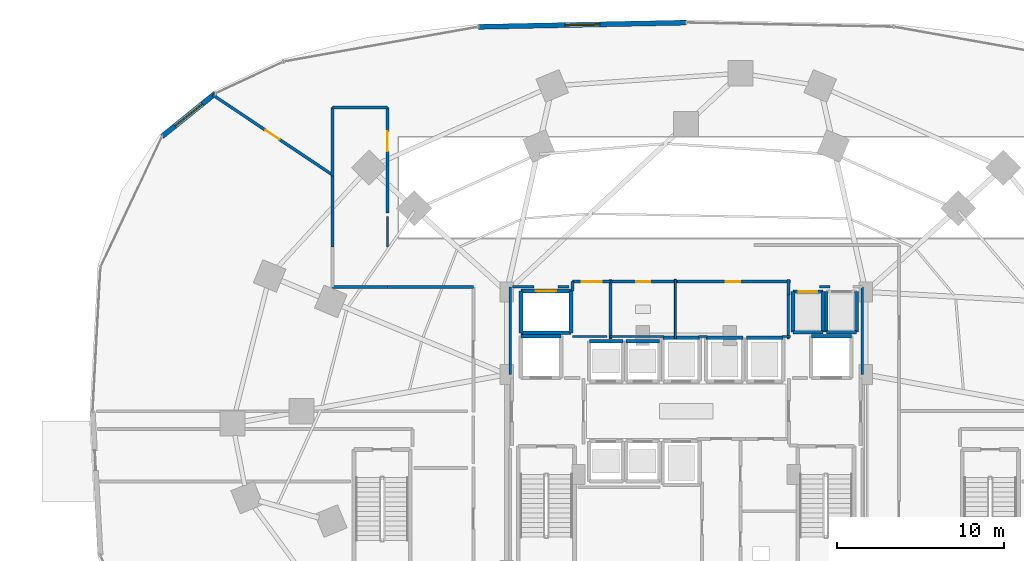
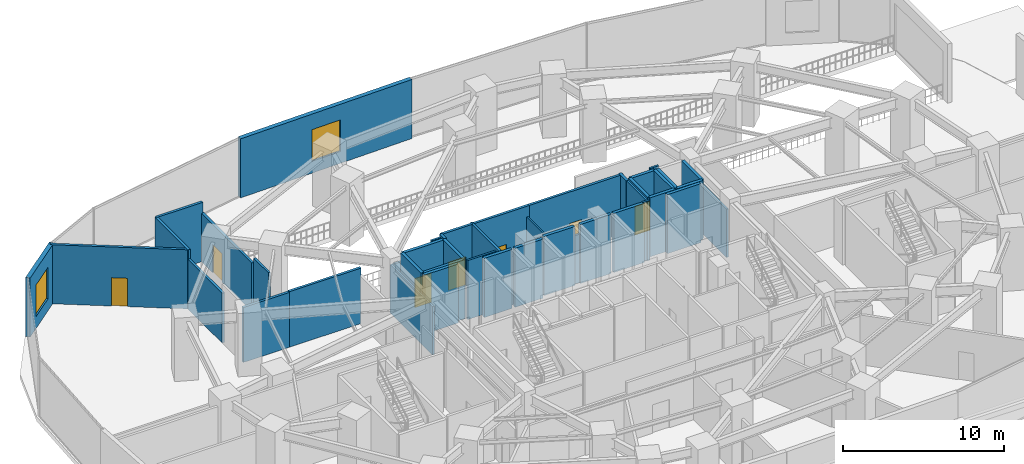
# One storey, part 29 of 36: 45 walls, 7 doors, 2 windows, 9 openings.
"""IFC4 building model written with IfcOpenShell, lengths in metres."""

import ifcopenshell
import ifcopenshell.guid

model = None  # the IFC model being written
_history = None  # IfcOwnerHistory: only IFC2X3 demands one
_inside = {}  # id of a spatial element -> (the spatial element, [elements in it])
_under = {}  # id of a project, library or spatial element -> (it, [spatial elements below it])
_declared = {}  # id of a project -> (the project, [libraries it declares])
_typed = {}  # id of a type object -> (the type object, [elements of that type])
_made_of = {}  # id of a material, layer set ... -> (it, [elements and type objects made of it])


def new_model(schema):
    """Start an empty IFC model of exactly this schema.

    Asked for "IFC4X3", IfcOpenShell would pick the latest addendum, in which some entities
    have other attributes; the version numbers below select the first issue.
    IFC2X3 requires an IfcOwnerHistory on every rooted entity: one is made here for all.
    """
    global model, _history
    if schema == "IFC4X3":
        model = ifcopenshell.file(schema_version=(4, 3, 0, 0))
    else:
        model = ifcopenshell.file(schema=schema)
    _inside.clear()
    _under.clear()
    _declared.clear()
    _typed.clear()
    _made_of.clear()
    _history = None
    if model.schema == "IFC2X3":
        org = make("IfcOrganization", Name="unknown")
        user = make(
            "IfcPersonAndOrganization",
            ThePerson=make("IfcPerson", FamilyName="unknown"),
            TheOrganization=org,
        )
        app = make(
            "IfcApplication",
            ApplicationDeveloper=org,
            Version="unknown",
            ApplicationFullName="unknown",
            ApplicationIdentifier="unknown",
        )
        _history = make(
            "IfcOwnerHistory",
            OwningUser=user,
            OwningApplication=app,
            ChangeAction="ADDED",
            CreationDate=0,
        )
    return model


def make(cls, **values):
    """One entity of the class cls with the attributes given. An attribute that is None is left unset."""
    return model.create_entity(
        cls, **{name: value for name, value in values.items() if value is not None}
    )


def rooted(cls, **values):
    """An entity with a GlobalId (a new one), such as an element, a storey or a relation."""
    return make(cls, GlobalId=ifcopenshell.guid.new(), OwnerHistory=_history, **values)


def si_unit(unit_type, name, prefix=None):
    """IfcSIUnit, for example si_unit("LENGTHUNIT", "METRE", prefix="MILLI")."""
    return make("IfcSIUnit", UnitType=unit_type, Prefix=prefix, Name=name)


def assignment(units):
    """IfcUnitAssignment: the units of a project."""
    return None if units is None else make("IfcUnitAssignment", Units=units)


def point(xyz):
    """IfcCartesianPoint."""
    return None if xyz is None else make("IfcCartesianPoint", Coordinates=xyz)


def direction(xyz):
    """IfcDirection."""
    return None if xyz is None else make("IfcDirection", DirectionRatios=xyz)


def frame(location, z_axis=None, x_axis=None):
    """IfcAxis2Placement3D, a coordinate frame: its origin and axes. An axis left out is left unset."""
    return make(
        "IfcAxis2Placement3D",
        Location=point(location),
        Axis=direction(z_axis),
        RefDirection=direction(x_axis),
    )


def frame_2d(location, x_axis=None):
    """IfcAxis2Placement2D, a coordinate frame in the plane: its origin and x axis."""
    return make(
        "IfcAxis2Placement2D", Location=point(location), RefDirection=direction(x_axis)
    )


def origin():
    """The frame at (0, 0, 0) with its axes left unset."""
    return frame((0.0, 0.0, 0.0))


def place(relative_to, where):
    """IfcLocalPlacement: puts the frame where relative to a parent placement (None: the world)."""
    return make(
        "IfcLocalPlacement", PlacementRelTo=relative_to, RelativePlacement=where
    )


def context(
    kind, dimensions, precision=None, world=None, true_north=None, identifier=None
):
    """IfcGeometricRepresentationContext, for example the 3D "Model" context."""
    return make(
        "IfcGeometricRepresentationContext",
        ContextIdentifier=identifier,
        ContextType=kind,
        CoordinateSpaceDimension=dimensions,
        Precision=precision,
        WorldCoordinateSystem=world,
        TrueNorth=true_north,
    )


def subcontext(parent, identifier, kind, view, scale=None):
    """IfcGeometricRepresentationSubContext, for example "Body" below "Model"."""
    return make(
        "IfcGeometricRepresentationSubContext",
        ContextIdentifier=identifier,
        ContextType=kind,
        ParentContext=parent,
        TargetScale=scale,
        TargetView=view,
    )


def project(units=None, contexts=None):
    """IfcProject with its units and contexts."""
    return rooted(
        "IfcProject",
        Name="project",
        RepresentationContexts=contexts,
        UnitsInContext=assignment(units),
    )


def spatial(cls, under=None, at=None, **own):
    """A site, building, storey or space (cls), placed at a placement, below another one or the project."""
    s = rooted(cls, ObjectPlacement=at, **own)
    if under is not None:
        _under.setdefault(under.id(), (under, []))[1].append(s)
    return s


def profile(cls, at=None, kind="AREA", **sizes):
    """A parametric profile (cls). Its sizes go by their IFC names, for example OverallWidth=200.0."""
    return make(cls, ProfileType=kind, Position=at, **sizes)


def rectangle(**sizes):
    """IfcRectangleProfileDef."""
    return profile("IfcRectangleProfileDef", **sizes)


def extrude(swept, where, along, depth):
    """IfcExtrudedAreaSolid: the profile swept, set in the frame where, extruded along a direction by depth."""
    return make(
        "IfcExtrudedAreaSolid",
        SweptArea=swept,
        Position=where,
        ExtrudedDirection=direction(along),
        Depth=depth,
    )


def shape(context_of_items, identifier, shape_type, items):
    """IfcShapeRepresentation: the items that make up one representation, for example the "Body"."""
    return make(
        "IfcShapeRepresentation",
        ContextOfItems=context_of_items,
        RepresentationIdentifier=identifier,
        RepresentationType=shape_type,
        Items=items,
    )


def material(Name=None, Category=None):
    """IfcMaterial."""
    return make("IfcMaterial", Name=Name, Category=Category)


def layer(
    of_material, thickness, ventilated=None, Name=None, Category=None, Priority=None
):
    """IfcMaterialLayer: one layer of a wall or slab, of a material (None: an air gap)."""
    return make(
        "IfcMaterialLayer",
        Material=of_material,
        LayerThickness=thickness,
        IsVentilated=ventilated,
        Name=Name,
        Category=Category,
        Priority=Priority,
    )


def layer_set(layers, Name=None):
    """IfcMaterialLayerSet."""
    return make("IfcMaterialLayerSet", MaterialLayers=layers, LayerSetName=Name)


def made_of(thing, what):
    """Note that an element or type object is made of a material, layer set ...; save() writes the relation."""
    if what is not None:
        _made_of.setdefault(what.id(), (what, []))[1].append(thing)
    return thing


def type_object(cls, material=None, **own):
    """A type object (cls), such as IfcWallType, which elements share."""
    return made_of(rooted(cls, **own), material)


def element(
    cls,
    number,
    at=None,
    inside=None,
    cuts=None,
    type_object=None,
    material=None,
    context=None,
    identifier="Body",
    shape_type=None,
    held_by="IfcProductDefinitionShape",
    body=None,
    shapes=None,
    **own,
):
    """One element of the class cls, such as IfcWall. Its Tag is "e" and its number.

    at: its placement. inside: the storey or other place that contains it. cuts: it is an
    opening in that element (IfcRelVoidsElement). A single representation is given by context,
    identifier, shape_type and body (its items); several are given by shapes. held_by: the class
    of the entity that holds the representations. save() writes the other relations.
    """
    e = rooted(cls, Tag="e%d" % number, ObjectPlacement=at, **own)
    if body is not None:
        shapes = [shape(context, identifier, shape_type, body)]
    if shapes is not None:
        e.Representation = make(held_by, Representations=shapes)
    if inside is not None:
        _inside.setdefault(inside.id(), (inside, []))[1].append(e)
    if cuts is not None:
        rooted(
            "IfcRelVoidsElement", RelatingBuildingElement=cuts, RelatedOpeningElement=e
        )
    if type_object is not None:
        _typed.setdefault(type_object.id(), (type_object, []))[1].append(e)
    return made_of(e, material)


def fill(opening, filler):
    """IfcRelFillsElement: the door or window that sits in an opening."""
    return rooted(
        "IfcRelFillsElement",
        RelatingOpeningElement=opening,
        RelatedBuildingElement=filler,
    )


def aggregate(whole, parts):
    """IfcRelAggregates: a whole, such as a stair, and the parts it consists of."""
    return rooted("IfcRelAggregates", RelatingObject=whole, RelatedObjects=parts)


def save(model, path):
    """Write the relations noted so far, then the file.

    IfcRelAggregates (storeys below a building ...), IfcRelContainedInSpatialStructure (elements
    in a storey), IfcRelDefinesByType, IfcRelAssociatesMaterial and IfcRelDeclares: one each for
    every whole, place, type object, material and project.
    """
    for whole, parts in _under.values():
        aggregate(whole, parts)
    for where, things in _inside.values():
        rooted(
            "IfcRelContainedInSpatialStructure",
            RelatedElements=things,
            RelatingStructure=where,
        )
    for kind, things in _typed.values():
        rooted("IfcRelDefinesByType", RelatedObjects=things, RelatingType=kind)
    for what, things in _made_of.values():
        rooted("IfcRelAssociatesMaterial", RelatedObjects=things, RelatingMaterial=what)
    for by, libraries in _declared.values():
        rooted("IfcRelDeclares", RelatingContext=by, RelatedDefinitions=libraries)
    model.write(path)


model = new_model("IFC4")

# Units and contexts
model_context = context("Model", 3, precision=1e-05, world=origin(), true_north=direction((0.0, 1.0)))
body_context = subcontext(model_context, "Body", "Model", "MODEL_VIEW")
ifc_project = project(units=[si_unit("LENGTHUNIT", "METRE"), si_unit("AREAUNIT", "SQUARE_METRE"), si_unit("VOLUMEUNIT", "CUBIC_METRE"), si_unit("PLANEANGLEUNIT", "RADIAN"), si_unit("MASSUNIT", "GRAM", prefix="KILO")], contexts=[model_context])

# Site, building, storey
site_placement = place(None, origin())
site = spatial("IfcSite", under=ifc_project, at=site_placement, CompositionType="ELEMENT")
building_placement = place(site_placement, origin())
building = spatial("IfcBuilding", under=site, at=building_placement, Name="Vorneva Point Tower", CompositionType="ELEMENT")
storey_placement = place(building_placement, origin())
storey = spatial("IfcBuildingStorey", under=building, at=storey_placement, Name="L00", CompositionType="ELEMENT", Elevation=0.0)

# Walls
ifc_material_1 = material(Name="Concrete B60 (C50/60)", Category="concrete")
ifc_layer_1 = layer(ifc_material_1, 0.5)
ifc_layer_set_1 = layer_set([ifc_layer_1], Name="Concrete B60 (C50/60)")
wall_type_1 = type_object("IfcWallType", Name="WL-CORE-500", PredefinedType="SHEAR", material=ifc_layer_set_1)
for number, where, z_axis, x_axis, name in (
    (1, (30.5, 30.5, 0.0), (0.0, 0.0, 1.0), (-1.0, 0.0, 0.0), "L00 Lift FFL1 Shaft Wall +Y"),
    (2, (47.89990234375, 30.5, 0.0), (0.0, 0.0, 1.0), (-1.0, 0.0, 0.0), "L00 Lift FFL2 Shaft Wall +Y"),
):
    element("IfcWall", number, at=place(storey_placement, frame(where, z_axis=z_axis, x_axis=x_axis)), inside=storey, type_object=wall_type_1, Name=name, PredefinedType="SHEAR", context=body_context, shape_type="SweptSolid", body=[
        extrude(rectangle(XDim=2.39990234375, YDim=0.219970703125, at=frame_2d((1.199951171875, 0.0))), origin(), (0.0, 0.0, 1.0), 4.47998046875),
    ])

# Wall, opening, window
ifc_material_2 = material(Name="Precast concrete B50 (C40/50)", Category="concrete")
ifc_layer_2 = layer(ifc_material_2, 0.300048828125)
ifc_layer_set_2 = layer_set([ifc_layer_2], Name="Precast concrete B50 (C40/50)")
wall_type_2 = type_object("IfcWallType", Name="WL-EXT-300", PredefinedType="STANDARD", material=ifc_layer_set_2)
wall_1_placement = place(storey_placement, frame((38.0, 49.285400390625, 0.0), z_axis=(0.0, 0.0, 1.0), x_axis=(-0.999791851131, -0.020402313892, 0.0)))
wall_1 = element("IfcWall", 3, at=wall_1_placement, inside=storey, type_object=wall_type_2, Name="L00 Waterfront Facade Wall 09", PredefinedType="STANDARD", context=body_context, shape_type="SweptSolid", body=[
    extrude(rectangle(XDim=12.445068359375, YDim=0.300048828125, at=frame_2d((6.22265625, 0.0))), origin(), (0.0, 0.0, 1.0), 4.47998046875),
])
opening_1_placement = place(wall_1_placement, frame((5.17236328125, 0.0, 0.89990234375)))
opening_1 = element("IfcOpeningElement", 4, at=opening_1_placement, cuts=wall_1, Name="Opening W-05", PredefinedType="OPENING", context=body_context, shape_type="SweptSolid", body=[
    extrude(rectangle(XDim=2.10009765625, YDim=2.39990234375, at=frame_2d((1.050048828125, 1.199951171875))), frame((0.0, 0.1650390625, 0.0), z_axis=(0.0, -1.0, 0.0), x_axis=(1.0, 0.0, 0.0)), (0.0, 0.0, 1.0), 0.329833984375),
])
ifc_material_3 = material(Name="Double low-e laminated glass IGU", Category="glass")
window_type = type_object("IfcWindowType", Name="WN-POD-2100", PartitioningType="SINGLE_PANEL", PredefinedType="WINDOW", material=ifc_material_3)
window_1_placement = place(opening_1_placement, origin())
window_1 = element("IfcWindow", 5, at=window_1_placement, inside=storey, type_object=window_type, Name="L00 Waterfront Podium Window 09", OverallHeight=2.39990234375, OverallWidth=2.10009765625, PartitioningType="SINGLE_PANEL", PredefinedType="WINDOW", context=body_context, shape_type="SweptSolid", body=[
    extrude(rectangle(XDim=2.10009765625, YDim=2.39990234375, at=frame_2d((1.050048828125, 1.199951171875))), frame((0.0, 0.030029296875, 0.0), z_axis=(0.0, -1.0, 0.0), x_axis=(1.0, 0.0, 0.0)), (0.0, 0.0, 1.0), 0.06005859375),
])
fill(opening_1, window_1)

wall_2_placement = place(storey_placement, frame((9.7841796875, 45.035888671875, 0.0), z_axis=(0.0, 0.0, 1.0), x_axis=(-0.778389533764, -0.627781597155, 0.0)))
wall_2 = element("IfcWall", 6, at=wall_2_placement, inside=storey, type_object=wall_type_2, Name="L00 Waterfront Facade Wall 13", PredefinedType="STANDARD", context=body_context, shape_type="SweptSolid", body=[
    extrude(rectangle(XDim=4.093017578125, YDim=0.300048828125, at=frame_2d((2.04638671875, 0.0))), origin(), (0.0, 0.0, 1.0), 4.47998046875),
])
opening_2_placement = place(wall_2_placement, frame((0.99658203125, 0.0, 0.89990234375)))
opening_2 = element("IfcOpeningElement", 7, at=opening_2_placement, cuts=wall_2, Name="Opening W-05", PredefinedType="OPENING", context=body_context, shape_type="SweptSolid", body=[
    extrude(rectangle(XDim=2.10009765625, YDim=2.39990234375, at=frame_2d((1.050048828125, 1.199951171875))), frame((0.0, 0.1650390625, 0.0), z_axis=(0.0, -1.0, 0.0), x_axis=(1.0, 0.0, 0.0)), (0.0, 0.0, 1.0), 0.329833984375),
])
window_2_placement = place(opening_2_placement, origin())
window_2 = element("IfcWindow", 8, at=window_2_placement, inside=storey, type_object=window_type, Name="L00 Waterfront Podium Window 13", OverallHeight=2.39990234375, OverallWidth=2.10009765625, PartitioningType="SINGLE_PANEL", PredefinedType="WINDOW", context=body_context, shape_type="SweptSolid", body=[
    extrude(rectangle(XDim=2.10009765625, YDim=2.39990234375, at=frame_2d((1.050048828125, 1.199951171875))), frame((0.0, 0.030029296875, 0.0), z_axis=(0.0, -1.0, 0.0), x_axis=(1.0, 0.0, 0.0)), (0.0, 0.0, 1.0), 0.06005859375),
])
fill(opening_2, window_2)

# Walls
ifc_material_4 = material(Name="Fire-rated acoustic gypsum stud partition", Category="gypsum")
ifc_layer_3 = layer(ifc_material_4, 0.110107421875)
ifc_layer_set_3 = layer_set([ifc_layer_3], Name="Fire-rated acoustic gypsum stud partition")
wall_type_3 = type_object("IfcWallType", Name="WL-PART-110", PredefinedType="PARTITIONING", material=ifc_layer_set_3)
wall_3_placement = place(storey_placement, frame((37.35009765625, 30.340087890625, 0.0), z_axis=(0.0, 0.0, 1.0), x_axis=(0.0, 1.0, 0.0)))
element("IfcWall", 9, at=wall_3_placement, inside=storey, type_object=wall_type_3, Name="L00 Interior Partition 017", PredefinedType="PARTITIONING", context=body_context, shape_type="SweptSolid", body=[
    extrude(rectangle(XDim=3.559814453125, YDim=0.110107421875, at=frame_2d((1.77978515625, 0.0))), origin(), (0.0, 0.0, 1.0), 3.672119140625),
])
ifc_layer_4 = layer(ifc_material_4, 0.139892578125)
ifc_layer_set_4 = layer_set([ifc_layer_4], Name="Fire-rated acoustic gypsum stud partition")
wall_type_4 = type_object("IfcWallType", Name="WL-PART-140", PredefinedType="PARTITIONING", material=ifc_layer_set_4)
wall_4_placement = place(storey_placement, frame((31.199951171875, 30.47998046875, 0.0), z_axis=(0.0, 0.0, 1.0), x_axis=(1.0, 0.0, 0.0)))
element("IfcWall", 10, at=wall_4_placement, inside=storey, type_object=wall_type_4, Name="L00 Interior Closure Partition 053", PredefinedType="PARTITIONING", context=body_context, shape_type="SweptSolid", body=[
    extrude(rectangle(XDim=2.050048828125, YDim=0.139892578125, at=frame_2d((1.02490234375, 0.0))), origin(), (0.0, 0.0, 1.0), 4.47998046875),
])
wall_5_placement = place(storey_placement, frame((33.43994140625, 30.47998046875, 0.0), z_axis=(0.0, 0.0, 1.0), x_axis=(1.0, 0.0, 0.0)))
element("IfcWall", 11, at=wall_5_placement, inside=storey, type_object=wall_type_4, Name="L00 Interior Closure Partition 054", PredefinedType="PARTITIONING", context=body_context, shape_type="SweptSolid", body=[
    extrude(rectangle(XDim=3.22509765625, YDim=0.139892578125, at=frame_2d((1.612548828125, 0.0))), origin(), (0.0, 0.0, 1.0), 3.672119140625),
])
wall_6_placement = place(storey_placement, frame((38.735107421875, 30.47998046875, 0.0), z_axis=(0.0, 0.0, 1.0), x_axis=(1.0, 0.0, 0.0)))
element("IfcWall", 12, at=wall_6_placement, inside=storey, type_object=wall_type_4, Name="L00 Interior Closure Partition 055", PredefinedType="PARTITIONING", context=body_context, shape_type="SweptSolid", body=[
    extrude(rectangle(XDim=0.52978515625, YDim=0.139892578125, at=frame_2d((0.264892578125, 0.0))), origin(), (0.0, 0.0, 1.0), 3.672119140625),
])
wall_7_placement = place(storey_placement, frame((43.735107421875, 30.47998046875, 0.0), z_axis=(0.0, 0.0, 1.0), x_axis=(1.0, 0.0, 0.0)))
element("IfcWall", 13, at=wall_7_placement, inside=storey, type_object=wall_type_4, Name="L00 Interior Closure Partition 056", PredefinedType="PARTITIONING", context=body_context, shape_type="SweptSolid", body=[
    extrude(rectangle(XDim=0.52490234375, YDim=0.139892578125, at=frame_2d((0.262451171875, 0.0))), origin(), (0.0, 0.0, 1.0), 4.47998046875),
])
wall_8_placement = place(storey_placement, frame((44.1201171875, 30.340087890625, 0.0), z_axis=(0.0, 0.0, 1.0), x_axis=(0.0, 1.0, 0.0)))
element("IfcWall", 14, at=wall_8_placement, inside=storey, type_object=wall_type_4, Name="L00 Interior Closure Partition 057", PredefinedType="PARTITIONING", context=body_context, shape_type="SweptSolid", body=[
    extrude(rectangle(XDim=2.659912109375, YDim=0.139892578125, at=frame_2d((1.330078125, 0.0))), origin(), (0.0, 0.0, 1.0), 4.47998046875),
])
wall_9_placement = place(storey_placement, frame((45.990966796875, 33.449951171875, 0.0), z_axis=(0.0, 0.0, 1.0), x_axis=(1.0, 0.0, 0.0)))
element("IfcWall", 15, at=wall_9_placement, inside=storey, type_object=wall_type_4, Name="L00 Interior Closure Partition 059", PredefinedType="PARTITIONING", context=body_context, shape_type="SweptSolid", body=[
    extrude(rectangle(XDim=0.617919921875, YDim=0.139892578125, at=frame_2d((0.30908203125, 0.0))), origin(), (0.0, 0.0, 1.0), 4.47998046875),
])
wall_10_placement = place(storey_placement, frame((48.550048828125, 33.449951171875, 0.0), z_axis=(0.0, 0.0, 1.0), x_axis=(0.0, -1.0, 0.0)))
element("IfcWall", 16, at=wall_10_placement, inside=storey, type_object=wall_type_4, Name="L00 Interior Closure Partition 061", PredefinedType="PARTITIONING", context=body_context, shape_type="SweptSolid", body=[
    extrude(rectangle(XDim=5.25390625, YDim=0.139892578125, at=frame_2d((2.626953125, 0.0))), origin(), (0.0, 0.0, 1.0), 3.672119140625),
])
wall_11_placement = place(storey_placement, frame((20.10009765625, 35.85009765625, 0.0), z_axis=(0.0, 0.0, 1.0), x_axis=(0.0, 1.0, 0.0)))
element("IfcWall", 17, at=wall_11_placement, inside=storey, type_object=wall_type_4, Name="L00 Interior Closure Partition 064", PredefinedType="PARTITIONING", context=body_context, shape_type="SweptSolid", body=[
    extrude(rectangle(XDim=1.81787109375, YDim=0.139892578125, at=frame_2d((0.908935546875, 0.0))), origin(), (0.0, 0.0, 1.0), 4.162109375),
])
wall_12_placement = place(storey_placement, frame((27.449951171875, 28.196044921875, 0.0), z_axis=(0.0, 0.0, 1.0), x_axis=(0.0, 1.0, 0.0)))
element("IfcWall", 18, at=wall_12_placement, inside=storey, type_object=wall_type_4, Name="L00 Interior Closure Partition 068", PredefinedType="PARTITIONING", context=body_context, shape_type="SweptSolid", body=[
    extrude(rectangle(XDim=5.25390625, YDim=0.139892578125, at=frame_2d((2.626953125, 0.0))), origin(), (0.0, 0.0, 1.0), 3.672119140625),
])
wall_13_placement = place(storey_placement, frame((27.60009765625, 33.449951171875, 0.0), z_axis=(0.0, 0.0, 1.0), x_axis=(1.0, 0.0, 0.0)))
element("IfcWall", 19, at=wall_13_placement, inside=storey, type_object=wall_type_4, Name="L00 Interior Closure Partition 069", PredefinedType="PARTITIONING", context=body_context, shape_type="SweptSolid", body=[
    extrude(rectangle(XDim=1.2939453125, YDim=0.139892578125, at=frame_2d((0.64697265625, 0.0))), origin(), (0.0, 0.0, 1.0), 3.672119140625),
])
wall_14_placement = place(storey_placement, frame((30.305908203125, 33.449951171875, 0.0), z_axis=(0.0, 0.0, 1.0), x_axis=(1.0, 0.0, 0.0)))
element("IfcWall", 20, at=wall_14_placement, inside=storey, type_object=wall_type_4, Name="L00 Interior Closure Partition 070", PredefinedType="PARTITIONING", context=body_context, shape_type="SweptSolid", body=[
    extrude(rectangle(XDim=0.674072265625, YDim=0.139892578125, at=frame_2d((0.3369140625, 0.0))), origin(), (0.0, 0.0, 1.0), 4.47998046875),
])
ifc_material_5 = material(Name="Autoclaved aerated concrete blockwork", Category="masonry")
ifc_layer_5 = layer(ifc_material_5, 0.179931640625)
ifc_layer_set_5 = layer_set([ifc_layer_5], Name="Autoclaved aerated concrete blockwork")
wall_type_5 = type_object("IfcWallType", Name="WL-PART-180", PredefinedType="PARTITIONING", material=ifc_layer_set_5)
wall_15_placement = place(storey_placement, frame((33.469970703125, 30.340087890625, 0.0), z_axis=(0.0, 0.0, 1.0), x_axis=(0.0, 1.0, 0.0)))
element("IfcWall", 21, at=wall_15_placement, inside=storey, type_object=wall_type_5, Name="L00 Interior Partition 006", PredefinedType="PARTITIONING", context=body_context, shape_type="SweptSolid", body=[
    extrude(rectangle(XDim=3.559814453125, YDim=0.179931640625, at=frame_2d((1.77978515625, 0.0))), origin(), (0.0, 0.0, 1.0), 4.47998046875),
])

# Wall, opening, door
wall_16_placement = place(storey_placement, frame((33.469970703125, 33.760009765625, 0.0), z_axis=(0.0, 0.0, 1.0), x_axis=(-1.0, 0.0, 0.0)))
wall_16 = element("IfcWall", 22, at=wall_16_placement, inside=storey, type_object=wall_type_5, Name="L00 Interior Partition 007", PredefinedType="PARTITIONING", context=body_context, shape_type="SweptSolid", body=[
    extrude(rectangle(XDim=2.27001953125, YDim=0.179931640625, at=frame_2d((1.135009765625, 0.0))), origin(), (0.0, 0.0, 1.0), 4.47998046875),
])
opening_3_placement = place(wall_16_placement, frame((0.534912109375, 0.0, 0.0)))
opening_3 = element("IfcOpeningElement", 23, at=opening_3_placement, cuts=wall_16, Name="Opening FD-02", PredefinedType="OPENING", context=body_context, shape_type="SweptSolid", body=[
    extrude(rectangle(XDim=1.199951171875, YDim=2.14990234375, at=frame_2d((0.60009765625, 1.074951171875))), frame((0.0, 0.10498046875, 0.0), z_axis=(0.0, -1.0, 0.0), x_axis=(1.0, 0.0, 0.0)), (0.0, 0.0, 1.0), 0.209716796875),
])
ifc_material_6 = material(Name="Fire-rated powder-coated steel", Category="steel")
door_type_1 = type_object("IfcDoorType", Name="DR-FFL-1200", OperationType="NOTDEFINED", PredefinedType="DOOR", material=ifc_material_6)
door_1_placement = place(opening_3_placement, origin())
door_1 = element("IfcDoor", 24, at=door_1_placement, inside=storey, type_object=door_type_1, Name="L00 Door Service Lift Lobby / L00 Circulation Corridor", OperationType="SINGLE_SWING_LEFT", OverallHeight=2.14990234375, OverallWidth=1.199951171875, PredefinedType="DOOR", context=body_context, shape_type="SweptSolid", body=[
    extrude(rectangle(XDim=1.199951171875, YDim=2.14990234375, at=frame_2d((0.60009765625, 1.074951171875))), frame((0.0, 0.02490234375, 0.0), z_axis=(0.0, -1.0, 0.0), x_axis=(1.0, 0.0, 0.0)), (0.0, 0.0, 1.0), 0.050048828125),
])
fill(opening_3, door_1)

# Wall
wall_17_placement = place(storey_placement, frame((31.199951171875, 33.760009765625, 0.0), z_axis=(0.0, 0.0, 1.0), x_axis=(0.0, -1.0, 0.0)))
element("IfcWall", 25, at=wall_17_placement, inside=storey, type_object=wall_type_5, Name="L00 Interior Partition 008", PredefinedType="PARTITIONING", context=body_context, shape_type="SweptSolid", body=[
    extrude(rectangle(XDim=0.56005859375, YDim=0.179931640625, at=frame_2d((0.280029296875, 0.0))), origin(), (0.0, 0.0, 1.0), 4.47998046875),
])

# Wall, opening, door
wall_18_placement = place(storey_placement, frame((37.489990234375, 33.760009765625, 0.0), z_axis=(0.0, 0.0, 1.0), x_axis=(-1.0, 0.0, 0.0)))
wall_18 = element("IfcWall", 26, at=wall_18_placement, inside=storey, type_object=wall_type_5, Name="L00 Interior Partition 018", PredefinedType="PARTITIONING", context=body_context, shape_type="SweptSolid", body=[
    extrude(rectangle(XDim=4.1298828125, YDim=0.179931640625, at=frame_2d((2.06494140625, 0.0))), origin(), (0.0, 0.0, 1.0), 4.47998046875),
])
opening_4_placement = place(wall_18_placement, frame((1.639892578125, 0.0, 0.0)))
opening_4 = element("IfcOpeningElement", 27, at=opening_4_placement, cuts=wall_18, Name="Opening ID-02", PredefinedType="OPENING", context=body_context, shape_type="SweptSolid", body=[
    extrude(rectangle(XDim=0.85009765625, YDim=2.10009765625, at=frame_2d((0.425048828125, 1.050048828125))), frame((0.0, 0.10498046875, 0.0), z_axis=(0.0, -1.0, 0.0), x_axis=(1.0, 0.0, 0.0)), (0.0, 0.0, 1.0), 0.209716796875),
])
ifc_material_7 = material(Name="Engineered oak fire-rated door leaf", Category="wood")
door_type_2 = type_object("IfcDoorType", Name="DR-BATH-850", OperationType="NOTDEFINED", PredefinedType="DOOR", material=ifc_material_7)
door_2_placement = place(opening_4_placement, origin())
door_2 = element("IfcDoor", 28, at=door_2_placement, inside=storey, type_object=door_type_2, Name="L00 Door Accessible WC / L00 Circulation Corridor", OperationType="SINGLE_SWING_LEFT", OverallHeight=2.10009765625, OverallWidth=0.85009765625, PredefinedType="DOOR", context=body_context, shape_type="SweptSolid", body=[
    extrude(rectangle(XDim=0.85009765625, YDim=2.10009765625, at=frame_2d((0.425048828125, 1.050048828125))), frame((0.0, 0.02490234375, 0.0), z_axis=(0.0, -1.0, 0.0), x_axis=(1.0, 0.0, 0.0)), (0.0, 0.0, 1.0), 0.050048828125),
])
fill(opening_4, door_2)

wall_19_placement = place(storey_placement, frame((44.260009765625, 33.760009765625, 0.0), z_axis=(0.0, 0.0, 1.0), x_axis=(-1.0, 0.0, 0.0)))
wall_19 = element("IfcWall", 29, at=wall_19_placement, inside=storey, type_object=wall_type_5, Name="L00 Interior Partition 019", PredefinedType="PARTITIONING", context=body_context, shape_type="SweptSolid", body=[
    extrude(rectangle(XDim=6.909912109375, YDim=0.179931640625, at=frame_2d((3.455078125, 0.0))), origin(), (0.0, 0.0, 1.0), 4.47998046875),
])
opening_5_placement = place(wall_19_placement, frame((3.030029296875, 0.0, 0.0)))
opening_5 = element("IfcOpeningElement", 30, at=opening_5_placement, cuts=wall_19, Name="Opening ID-02", PredefinedType="OPENING", context=body_context, shape_type="SweptSolid", body=[
    extrude(rectangle(XDim=0.85009765625, YDim=2.10009765625, at=frame_2d((0.425048828125, 1.050048828125))), frame((0.0, 0.10498046875, 0.0), z_axis=(0.0, -1.0, 0.0), x_axis=(1.0, 0.0, 0.0)), (0.0, 0.0, 1.0), 0.209716796875),
])
door_3_placement = place(opening_5_placement, origin())
door_3 = element("IfcDoor", 31, at=door_3_placement, inside=storey, type_object=door_type_2, Name="L00 Door Public Restroom / L00 Circulation Corridor", OperationType="SINGLE_SWING_RIGHT", OverallHeight=2.10009765625, OverallWidth=0.85009765625, PredefinedType="DOOR", context=body_context, shape_type="SweptSolid", body=[
    extrude(rectangle(XDim=0.85009765625, YDim=2.10009765625, at=frame_2d((0.425048828125, 1.050048828125))), frame((0.0, 0.02490234375, 0.0), z_axis=(0.0, -1.0, 0.0), x_axis=(1.0, 0.0, 0.0)), (0.0, 0.0, 1.0), 0.050048828125),
])
fill(opening_5, door_3)

# Wall
wall_20_placement = place(storey_placement, frame((44.1201171875, 32.969970703125, 0.0), z_axis=(0.0, 0.0, 1.0), x_axis=(0.0, 1.0, 0.0)))
element("IfcWall", 32, at=wall_20_placement, inside=storey, type_object=wall_type_5, Name="L00 Interior Partition 020", PredefinedType="PARTITIONING", context=body_context, shape_type="SweptSolid", body=[
    extrude(rectangle(XDim=0.929931640625, YDim=0.179931640625, at=frame_2d((0.46484375, 0.0))), origin(), (0.0, 0.0, 1.0), 4.47998046875),
])

# Wall, opening, door
wall_21_placement = place(storey_placement, frame((20.10009765625, 37.887939453125, 0.0), z_axis=(0.0, 0.0, 1.0), x_axis=(0.0, 1.0, 0.0)))
wall_21 = element("IfcWall", 33, at=wall_21_placement, inside=storey, type_object=wall_type_5, Name="L00 Interior Partition 034", PredefinedType="PARTITIONING", context=body_context, shape_type="SweptSolid", body=[
    extrude(rectangle(XDim=6.31201171875, YDim=0.179931640625, at=frame_2d((3.156005859375, 0.0))), origin(), (0.0, 0.0, 1.0), 3.672119140625),
])
opening_6_placement = place(wall_21_placement, frame((3.676025390625, 0.0, 0.0)))
opening_6 = element("IfcOpeningElement", 34, at=opening_6_placement, cuts=wall_21, Name="Opening FD-02", PredefinedType="OPENING", context=body_context, shape_type="SweptSolid", body=[
    extrude(rectangle(XDim=1.199951171875, YDim=2.14990234375, at=frame_2d((0.60009765625, 1.074951171875))), frame((0.0, 0.10498046875, 0.0), z_axis=(0.0, -1.0, 0.0), x_axis=(1.0, 0.0, 0.0)), (0.0, 0.0, 1.0), 0.209716796875),
])
door_4_placement = place(opening_6_placement, origin())
door_4 = element("IfcDoor", 35, at=door_4_placement, inside=storey, type_object=door_type_1, Name="L00 Door L00 Circulation Corridor / Waterfront Concourse", OperationType="SINGLE_SWING_RIGHT", OverallHeight=2.14990234375, OverallWidth=1.199951171875, PredefinedType="DOOR", context=body_context, shape_type="SweptSolid", body=[
    extrude(rectangle(XDim=1.199951171875, YDim=2.14990234375, at=frame_2d((0.60009765625, 1.074951171875))), frame((0.0, 0.02490234375, 0.0), z_axis=(0.0, -1.0, 0.0), x_axis=(1.0, 0.0, 0.0)), (0.0, 0.0, 1.0), 0.050048828125),
])
fill(opening_6, door_4)

# Walls
wall_22_placement = place(storey_placement, frame((20.10009765625, 44.199951171875, 0.0), z_axis=(0.0, 0.0, 1.0), x_axis=(-1.0, 0.0, 0.0)))
element("IfcWall", 36, at=wall_22_placement, inside=storey, type_object=wall_type_5, Name="L00 Interior Partition 035", PredefinedType="PARTITIONING", context=body_context, shape_type="SweptSolid", body=[
    extrude(rectangle(XDim=3.300048828125, YDim=0.179931640625, at=frame_2d((1.64990234375, 0.0))), origin(), (0.0, 0.0, 1.0), 4.47998046875),
])
wall_23_placement = place(storey_placement, frame((16.800048828125, 44.199951171875, 0.0), z_axis=(0.0, 0.0, 1.0), x_axis=(0.0, -1.0, 0.0)))
element("IfcWall", 37, at=wall_23_placement, inside=storey, type_object=wall_type_5, Name="L00 Interior Partition 036", PredefinedType="PARTITIONING", context=body_context, shape_type="SweptSolid", body=[
    extrude(rectangle(XDim=4.094970703125, YDim=0.179931640625, at=frame_2d((2.04736328125, 0.0))), origin(), (0.0, 0.0, 1.0), 4.47998046875),
])
wall_24_placement = place(storey_placement, frame((16.800048828125, 40.10498046875, 0.0), z_axis=(0.0, 0.0, 1.0), x_axis=(0.0, -1.0, 0.0)))
element("IfcWall", 38, at=wall_24_placement, inside=storey, type_object=wall_type_5, Name="L00 Interior Partition 037", PredefinedType="PARTITIONING", context=body_context, shape_type="SweptSolid", body=[
    extrude(rectangle(XDim=4.2548828125, YDim=0.179931640625, at=frame_2d((2.12744140625, 0.0))), origin(), (0.0, 0.0, 1.0), 3.76904296875),
])
wall_25_placement = place(storey_placement, frame((16.800048828125, 33.449951171875, 0.0), z_axis=(0.0, 0.0, 1.0), x_axis=(1.0, 0.0, 0.0)))
element("IfcWall", 39, at=wall_25_placement, inside=storey, type_object=wall_type_5, Name="L00 Interior Partition 039", PredefinedType="PARTITIONING", context=body_context, shape_type="SweptSolid", body=[
    extrude(rectangle(XDim=3.300048828125, YDim=0.179931640625, at=frame_2d((1.64990234375, 0.0))), origin(), (0.0, 0.0, 1.0), 4.162109375),
])
wall_26_placement = place(storey_placement, frame((20.10009765625, 33.449951171875, 0.0), z_axis=(0.0, 0.0, 1.0), x_axis=(1.0, 0.0, 0.0)))
element("IfcWall", 40, at=wall_26_placement, inside=storey, type_object=wall_type_5, Name="L00 Interior Partition 040", PredefinedType="PARTITIONING", context=body_context, shape_type="SweptSolid", body=[
    extrude(rectangle(XDim=5.14990234375, YDim=0.179931640625, at=frame_2d((2.574951171875, 0.0))), origin(), (0.0, 0.0, 1.0), 4.2119140625),
])

# Wall, opening, door
wall_27_placement = place(storey_placement, frame((9.633056640625, 44.9541015625, 0.0), z_axis=(0.0, 0.0, 1.0), x_axis=(0.83145721005, -0.555588793853, 0.0)))
wall_27 = element("IfcWall", 41, at=wall_27_placement, inside=storey, type_object=wall_type_5, Name="L00 Interior Partition 050", PredefinedType="PARTITIONING", context=body_context, shape_type="SweptSolid", body=[
    extrude(rectangle(XDim=8.619873046875, YDim=0.179931640625, at=frame_2d((4.31005859375, 0.0))), origin(), (0.0, 0.0, 1.0), 4.47998046875),
])
opening_7_placement = place(wall_27_placement, frame((3.809814453125, 0.0, 0.0)))
opening_7 = element("IfcOpeningElement", 42, at=opening_7_placement, cuts=wall_27, Name="Opening UD-01", PredefinedType="OPENING", context=body_context, shape_type="SweptSolid", body=[
    extrude(rectangle(XDim=1.0, YDim=2.14990234375, at=frame_2d((0.5, 1.074951171875))), frame((0.0, 0.10498046875, 0.0), z_axis=(0.0, -1.0, 0.0), x_axis=(1.0, 0.0, 0.0)), (0.0, 0.0, 1.0), 0.209716796875),
])
door_type_3 = type_object("IfcDoorType", Name="DR-UNIT-1000", OperationType="NOTDEFINED", PredefinedType="DOOR", material=ifc_material_7)
door_5_placement = place(opening_7_placement, origin())
door_5 = element("IfcDoor", 43, at=door_5_placement, inside=storey, type_object=door_type_3, Name="L00 Door Waterfront Concourse / Retail Shop West", OperationType="SINGLE_SWING_LEFT", OverallHeight=2.14990234375, OverallWidth=1.0, PredefinedType="DOOR", context=body_context, shape_type="SweptSolid", body=[
    extrude(rectangle(XDim=1.0, YDim=2.14990234375, at=frame_2d((0.5, 1.074951171875))), frame((0.0, 0.02490234375, 0.0), z_axis=(0.0, -1.0, 0.0), x_axis=(1.0, 0.0, 0.0)), (0.0, 0.0, 1.0), 0.050048828125),
])
fill(opening_7, door_5)

# Walls
ifc_material_8 = material(Name="Concrete B50 (C40/50)", Category="concrete")
ifc_layer_6 = layer(ifc_material_8, 0.219970703125)
ifc_layer_set_6 = layer_set([ifc_layer_6], Name="Concrete B50 (C40/50)")
wall_type_6 = type_object("IfcWallType", Name="WL-SHFT-220", PredefinedType="SOLIDWALL", material=ifc_layer_set_6)
for number, where, z_axis, x_axis, name in (
    (44, (34.199951171875, 30.199951171875, 0.0), (0.0, 0.0, 1.0), (-1.0, 0.0, 0.0), "L00 Lift PL1 Shaft Wall +Y"),
    (45, (36.39990234375, 30.199951171875, 0.0), (0.0, 0.0, 1.0), (-1.0, 0.0, 0.0), "L00 Lift PL2 Shaft Wall +Y"),
):
    element("IfcWall", number, at=place(storey_placement, frame(where, z_axis=z_axis, x_axis=x_axis)), inside=storey, type_object=wall_type_6, Name=name, PredefinedType="SOLIDWALL", context=body_context, shape_type="SweptSolid", body=[
        extrude(rectangle(XDim=2.0, YDim=0.219970703125, at=frame_2d((1.0, 0.0))), origin(), (0.0, 0.0, 1.0), 4.47998046875),
    ])
for number, where, z_axis, x_axis, name in (
    (46, (38.800048828125, 30.39990234375, 0.0), (0.0, 0.0, 1.0), (-1.0, 0.0, 0.0), "L00 Lift PL3 Shaft Wall +Y"),
    (47, (41.39990234375, 30.39990234375, 0.0), (0.0, 0.0, 1.0), (-1.0, 0.0, 0.0), "L00 Lift PL7 Shaft Wall +Y"),
    (48, (43.800048828125, 30.39990234375, 0.0), (0.0, 0.0, 1.0), (-1.0, 0.0, 0.0), "L00 Lift PL8 Shaft Wall +Y"),
):
    element("IfcWall", number, at=place(storey_placement, frame(where, z_axis=z_axis, x_axis=x_axis)), inside=storey, type_object=wall_type_6, Name=name, PredefinedType="SOLIDWALL", context=body_context, shape_type="SweptSolid", body=[
        extrude(rectangle(XDim=2.199951171875, YDim=0.219970703125, at=frame_2d((1.10009765625, 0.0))), origin(), (0.0, 0.0, 1.0), 4.47998046875),
    ])
wall_28_placement = place(storey_placement, frame((44.39990234375, 30.739990234375, 0.0), z_axis=(0.0, 0.0, 1.0), x_axis=(1.0, 0.0, 0.0)))
element("IfcWall", 49, at=wall_28_placement, inside=storey, type_object=wall_type_6, Name="L00 Lift EX1 Shaft Wall -Y", PredefinedType="SOLIDWALL", context=body_context, shape_type="SweptSolid", body=[
    extrude(rectangle(XDim=1.800048828125, YDim=0.219970703125, at=frame_2d((0.89990234375, 0.0))), origin(), (0.0, 0.0, 1.0), 4.47998046875),
])
wall_29_placement = place(storey_placement, frame((46.199951171875, 30.739990234375, 0.0), z_axis=(0.0, 0.0, 1.0), x_axis=(0.0, 1.0, 0.0)))
element("IfcWall", 50, at=wall_29_placement, inside=storey, type_object=wall_type_6, Name="L00 Lift EX1 Shaft Wall +X", PredefinedType="SOLIDWALL", context=body_context, shape_type="SweptSolid", body=[
    extrude(rectangle(XDim=2.419921875, YDim=0.219970703125, at=frame_2d((1.2099609375, 0.0))), origin(), (0.0, 0.0, 1.0), 4.47998046875),
])

# Wall, opening, door
wall_30_placement = place(storey_placement, frame((46.199951171875, 33.159912109375, 0.0), z_axis=(0.0, 0.0, 1.0), x_axis=(-1.0, 0.0, 0.0)))
wall_30 = element("IfcWall", 51, at=wall_30_placement, inside=storey, type_object=wall_type_6, Name="L00 Lift EX1 Shaft Wall +Y", PredefinedType="SOLIDWALL", context=body_context, shape_type="SweptSolid", body=[
    extrude(rectangle(XDim=1.800048828125, YDim=0.219970703125, at=frame_2d((0.89990234375, 0.0))), origin(), (0.0, 0.0, 1.0), 4.47998046875),
])
opening_8_placement = place(wall_30_placement, frame((0.35009765625, 0.0, 0.0)))
opening_8 = element("IfcOpeningElement", 52, at=opening_8_placement, cuts=wall_30, Name="Opening LD-01", PredefinedType="OPENING", context=body_context, shape_type="SweptSolid", body=[
    extrude(rectangle(XDim=1.10009765625, YDim=2.199951171875, at=frame_2d((0.550048828125, 1.10009765625))), frame((0.0, 0.125, 0.0), z_axis=(0.0, -1.0, 0.0), x_axis=(1.0, 0.0, 0.0)), (0.0, 0.0, 1.0), 0.249755859375),
])
ifc_material_9 = material(Name="Brushed stainless steel S304", Category="steel")
door_type_4 = type_object("IfcDoorType", Name="LD-PASS-1100", OperationType="SLIDING_TO_LEFT", PredefinedType="DOOR", material=ifc_material_9)
door_6_placement = place(opening_8_placement, origin())
door_6 = element("IfcDoor", 53, at=door_6_placement, inside=storey, type_object=door_type_4, Name="L00 Lift EX1 Sliding Landing Door", OperationType="SLIDING_TO_LEFT", OverallHeight=2.199951171875, OverallWidth=1.10009765625, PredefinedType="DOOR", context=body_context, shape_type="SweptSolid", body=[
    extrude(rectangle(XDim=1.10009765625, YDim=2.199951171875, at=frame_2d((0.550048828125, 1.10009765625))), frame((0.0, 0.02490234375, 0.0), z_axis=(0.0, -1.0, 0.0), x_axis=(1.0, 0.0, 0.0)), (0.0, 0.0, 1.0), 0.050048828125),
])
fill(opening_8, door_6)

# Walls
wall_31_placement = place(storey_placement, frame((44.39990234375, 33.159912109375, 0.0), z_axis=(0.0, 0.0, 1.0), x_axis=(0.0, -1.0, 0.0)))
element("IfcWall", 54, at=wall_31_placement, inside=storey, type_object=wall_type_6, Name="L00 Lift EX1 Shaft Wall -X", PredefinedType="SOLIDWALL", context=body_context, shape_type="SweptSolid", body=[
    extrude(rectangle(XDim=2.419921875, YDim=0.219970703125, at=frame_2d((1.2099609375, 0.0))), origin(), (0.0, 0.0, 1.0), 4.47998046875),
])
wall_32_placement = place(storey_placement, frame((46.39990234375, 30.739990234375, 0.0), z_axis=(0.0, 0.0, 1.0), x_axis=(1.0, 0.0, 0.0)))
element("IfcWall", 55, at=wall_32_placement, inside=storey, type_object=wall_type_6, Name="L00 Lift EX2 Shaft Wall -Y", PredefinedType="SOLIDWALL", context=body_context, shape_type="SweptSolid", body=[
    extrude(rectangle(XDim=1.800048828125, YDim=0.219970703125, at=frame_2d((0.89990234375, 0.0))), origin(), (0.0, 0.0, 1.0), 4.47998046875),
])
for number, where, z_axis, x_axis, name in (
    (56, (48.199951171875, 30.739990234375, 0.0), (0.0, 0.0, 1.0), (0.0, 1.0, 0.0), "L00 Lift EX2 Shaft Wall +X"),
    (57, (46.39990234375, 33.159912109375, 0.0), (0.0, 0.0, 1.0), (0.0, -1.0, 0.0), "L00 Lift EX2 Shaft Wall -X"),
):
    element("IfcWall", number, at=place(storey_placement, frame(where, z_axis=z_axis, x_axis=x_axis)), inside=storey, type_object=wall_type_6, Name=name, PredefinedType="SOLIDWALL", context=body_context, shape_type="SweptSolid", body=[
        extrude(rectangle(XDim=2.419921875, YDim=0.219970703125, at=frame_2d((1.2099609375, 0.0))), origin(), (0.0, 0.0, 1.0), 4.47998046875),
    ])
wall_33_placement = place(storey_placement, frame((28.10009765625, 30.699951171875, 0.0), z_axis=(0.0, 0.0, 1.0), x_axis=(1.0, 0.0, 0.0)))
element("IfcWall", 58, at=wall_33_placement, inside=storey, type_object=wall_type_6, Name="L00 Lift SVL1 Shaft Wall -Y", PredefinedType="SOLIDWALL", context=body_context, shape_type="SweptSolid", body=[
    extrude(rectangle(XDim=3.0, YDim=0.219970703125, at=frame_2d((1.5, 0.0))), origin(), (0.0, 0.0, 1.0), 4.47998046875),
])
wall_34_placement = place(storey_placement, frame((31.10009765625, 30.699951171875, 0.0), z_axis=(0.0, 0.0, 1.0), x_axis=(0.0, 1.0, 0.0)))
element("IfcWall", 59, at=wall_34_placement, inside=storey, type_object=wall_type_6, Name="L00 Lift SVL1 Shaft Wall +X", PredefinedType="SOLIDWALL", context=body_context, shape_type="SweptSolid", body=[
    extrude(rectangle(XDim=2.5, YDim=0.219970703125, at=frame_2d((1.25, 0.0))), origin(), (0.0, 0.0, 1.0), 4.47998046875),
])

# Wall, opening, door
wall_35_placement = place(storey_placement, frame((31.10009765625, 33.199951171875, 0.0), z_axis=(0.0, 0.0, 1.0), x_axis=(-1.0, 0.0, 0.0)))
wall_35 = element("IfcWall", 60, at=wall_35_placement, inside=storey, type_object=wall_type_6, Name="L00 Lift SVL1 Shaft Wall +Y", PredefinedType="SOLIDWALL", context=body_context, shape_type="SweptSolid", body=[
    extrude(rectangle(XDim=3.0, YDim=0.219970703125, at=frame_2d((1.5, 0.0))), origin(), (0.0, 0.0, 1.0), 4.47998046875),
])
opening_9_placement = place(wall_35_placement, frame((0.89990234375, 0.0, 0.0)))
opening_9 = element("IfcOpeningElement", 61, at=opening_9_placement, cuts=wall_35, Name="Opening LD-02", PredefinedType="OPENING", context=body_context, shape_type="SweptSolid", body=[
    extrude(rectangle(XDim=1.199951171875, YDim=2.199951171875, at=frame_2d((0.60009765625, 1.10009765625))), frame((0.0, 0.125, 0.0), z_axis=(0.0, -1.0, 0.0), x_axis=(1.0, 0.0, 0.0)), (0.0, 0.0, 1.0), 0.249755859375),
])
door_type_5 = type_object("IfcDoorType", Name="LD-FIRE-1200", OperationType="SLIDING_TO_LEFT", PredefinedType="DOOR", material=ifc_material_9)
door_7_placement = place(opening_9_placement, origin())
door_7 = element("IfcDoor", 62, at=door_7_placement, inside=storey, type_object=door_type_5, Name="L00 Lift SVL1 Sliding Landing Door", OperationType="SLIDING_TO_LEFT", OverallHeight=2.199951171875, OverallWidth=1.199951171875, PredefinedType="DOOR", context=body_context, shape_type="SweptSolid", body=[
    extrude(rectangle(XDim=1.199951171875, YDim=2.199951171875, at=frame_2d((0.60009765625, 1.10009765625))), frame((0.0, 0.02490234375, 0.0), z_axis=(0.0, -1.0, 0.0), x_axis=(1.0, 0.0, 0.0)), (0.0, 0.0, 1.0), 0.050048828125),
])
fill(opening_9, door_7)

# Wall
wall_36_placement = place(storey_placement, frame((28.10009765625, 33.199951171875, 0.0), z_axis=(0.0, 0.0, 1.0), x_axis=(0.0, -1.0, 0.0)))
element("IfcWall", 63, at=wall_36_placement, inside=storey, type_object=wall_type_6, Name="L00 Lift SVL1 Shaft Wall -X", PredefinedType="SOLIDWALL", context=body_context, shape_type="SweptSolid", body=[
    extrude(rectangle(XDim=2.5, YDim=0.219970703125, at=frame_2d((1.25, 0.0))), origin(), (0.0, 0.0, 1.0), 4.47998046875),
])

save(model, "model.ifc")
